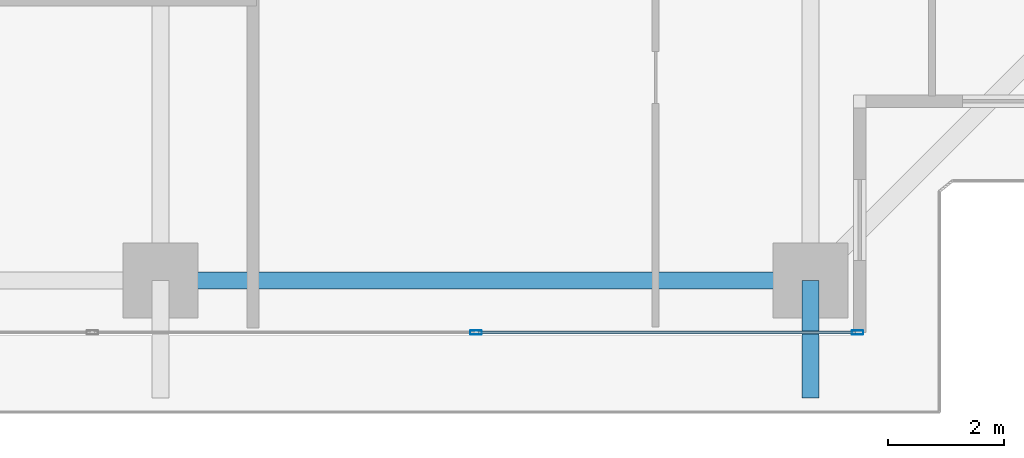
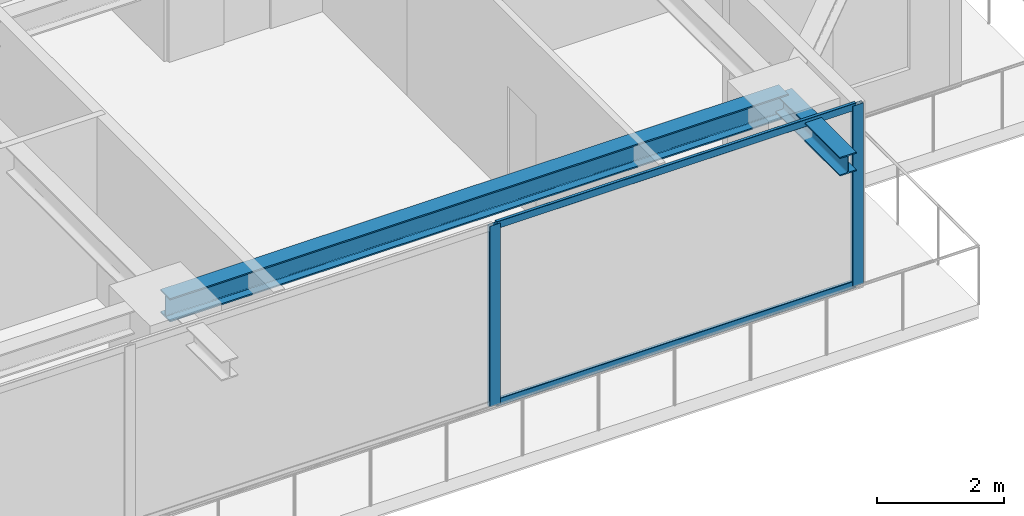
# One storey, part 12 of 38: 4 members, 2 beams, 1 element without a shape of its own.
"""IFC4 building model written with IfcOpenShell, lengths in metres."""

from ifc_helpers import new_model, si_unit, direction, frame, origin, origin_2d, place, context, subcontext, project, spatial, hollow_rectangle, i_section, extrude, source, transform, mapped, material, layer, layer_set, material_profile, profile_set, type_object, element, aggregate, save


model = new_model("IFC4")

# Units and contexts
model_context = context("Model", 3, precision=1e-05, world=origin(), true_north=direction((0.0, 1.0)))
body_context = subcontext(model_context, "Body", "Model", "MODEL_VIEW")
ifc_project = project(units=[si_unit("LENGTHUNIT", "METRE"), si_unit("AREAUNIT", "SQUARE_METRE"), si_unit("VOLUMEUNIT", "CUBIC_METRE"), si_unit("PLANEANGLEUNIT", "RADIAN"), si_unit("MASSUNIT", "GRAM", prefix="KILO")], contexts=[model_context])

# Site, building, storey
site_placement = place(None, origin())
site = spatial("IfcSite", under=ifc_project, at=site_placement, CompositionType="ELEMENT")
building_placement = place(site_placement, origin())
building = spatial("IfcBuilding", under=site, at=building_placement, Name="Serunith Strait Residences", CompositionType="ELEMENT")
storey_placement = place(building_placement, frame((0.0, 0.0, 120.14990234375)))
storey = spatial("IfcBuildingStorey", under=building, at=storey_placement, Name="L29", CompositionType="ELEMENT", Elevation=120.14990234375)

# Beams
ifc_material_1 = material(Name="Steel S355J2", Category="steel")
ifc_material_profile_1 = material_profile(ifc_material_1, i_section(OverallWidth=0.300048828125, OverallDepth=0.449951171875, WebThickness=0.013916015625, FlangeThickness=0.02587890625, FilletRadius=0.027099609375, at=origin_2d()), Name="HEB 450")
ifc_profile_set_1 = profile_set([ifc_material_profile_1], Name="Steel S355J2")
beam_type_1 = type_object("IfcBeamType", Name="BM-HEB450", PredefinedType="BEAM", material=ifc_profile_set_1)
shared_shape_1 = source(origin(), body_context, "Body", "SweptSolid", [
    extrude(i_section(OverallWidth=0.300048828125, OverallDepth=0.449951171875, WebThickness=0.013916015625, FlangeThickness=0.02587890625, FilletRadius=0.027099609375, at=origin_2d()), origin(), (0.0, 0.0, 1.0), 11.25),
])
beam_1_placement = place(storey_placement, frame((36.89990234375, 2.300048828125, 3.26220703125), z_axis=(1.0, 0.0, 0.0), x_axis=(0.0, 1.0, 0.0)))
element("IfcBeam", 1, at=beam_1_placement, inside=storey, type_object=beam_type_1, Name="L29 Perimeter Ring Beam 03", PredefinedType="BEAM", context=body_context, shape_type="MappedRepresentation", body=[
    mapped(shared_shape_1, transform((0.0, 0.0, 0.0), scale=1.0)),
])
ifc_material_profile_2 = material_profile(ifc_material_1, i_section(OverallWidth=0.300048828125, OverallDepth=0.360107421875, WebThickness=0.012451171875, FlangeThickness=0.0224609375, FilletRadius=0.027099609375, at=origin_2d()), Name="HEB 360")
ifc_profile_set_2 = profile_set([ifc_material_profile_2], Name="Steel S355J2")
beam_type_2 = type_object("IfcBeamType", Name="BM-HEB360", PredefinedType="BEAM", material=ifc_profile_set_2)
shared_shape_2 = source(origin(), body_context, "Body", "SweptSolid", [
    extrude(i_section(OverallWidth=0.300048828125, OverallDepth=0.360107421875, WebThickness=0.012451171875, FlangeThickness=0.0224609375, FilletRadius=0.027099609375, at=origin_2d()), origin(), (0.0, 0.0, 1.0), 2.030029296875),
])
beam_2_placement = place(storey_placement, frame((48.14990234375, 2.300048828125, 3.277099609375), z_axis=(0.0, -1.0, 0.0), x_axis=(1.0, 0.0, 0.0)))
element("IfcBeam", 2, at=beam_2_placement, inside=storey, type_object=beam_type_2, Name="L30 Cantilevered Balcony Rib TC-S4", PredefinedType="BEAM", context=body_context, shape_type="MappedRepresentation", body=[
    mapped(shared_shape_2, transform((0.0, 0.0, 0.0), scale=1.0)),
])

# Curtain wall, members
ifc_material_2 = material(Name="Pale-Champagne Anodised Aluminium", Category="aluminium")
ifc_layer = layer(ifc_material_2, 0.199951171875, Name="Pale-Champagne Anodised Aluminium")
ifc_layer_set = layer_set([ifc_layer], Name="Pale-Champagne Anodised Aluminium")
curtain_wall_type = type_object("IfcCurtainWallType", Name="CW-SYS2", PredefinedType="NOTDEFINED", material=ifc_layer_set)
curtain_wall_placement = place(storey_placement, origin())
curtain_wall = element("IfcCurtainWall", 3, at=curtain_wall_placement, inside=storey, type_object=curtain_wall_type, Name="L29 S Unitised Fritted Curtain Wall", PredefinedType="NOTDEFINED")
ifc_material_profile_3 = material_profile(ifc_material_2, hollow_rectangle(XDim=0.070068359375, YDim=0.199951171875, WallThickness=0.00390625, InnerFilletRadius=0.006103515625, OuterFilletRadius=0.010009765625, at=origin_2d()), Name="ALU 200x70x4")
ifc_profile_set_3 = profile_set([ifc_material_profile_3], Name="Pale-Champagne Anodised Aluminium")
member_type_1 = type_object("IfcMemberType", Name="CW-SYS2-MULL", PredefinedType="MULLION", material=ifc_profile_set_3)
shared_shape_3 = source(origin(), body_context, "Body", "SweptSolid", [
    extrude(hollow_rectangle(XDim=0.070068359375, YDim=0.199951171875, WallThickness=0.00390625, InnerFilletRadius=0.006103515625, OuterFilletRadius=0.010009765625, at=origin_2d()), origin(), (0.0, 0.0, 1.0), 3.47509765625),
])
member_1_placement = place(storey_placement, frame((42.360107421875, 1.39990234375, 0.0), z_axis=(0.0, 0.0, 1.0), x_axis=(0.0, 1.0, 0.0)))
member_1 = element("IfcMember", 4, at=member_1_placement, type_object=member_type_1, Name="CW-2 mullion 5", PredefinedType="MULLION", context=body_context, shape_type="MappedRepresentation", body=[
    mapped(shared_shape_3, transform((0.0, 0.0, 0.0), scale=1.0)),
])
member_2_placement = place(storey_placement, frame((48.965087890625, 1.39990234375, 0.0), z_axis=(0.0, 0.0, 1.0), x_axis=(0.0, 1.0, 0.0)))
member_2 = element("IfcMember", 5, at=member_2_placement, type_object=member_type_1, Name="CW-2 mullion 6", PredefinedType="MULLION", context=body_context, shape_type="MappedRepresentation", body=[
    mapped(shared_shape_3, transform((0.0, 0.0, 0.0), scale=1.0)),
])
ifc_material_profile_4 = material_profile(ifc_material_2, hollow_rectangle(XDim=0.06005859375, YDim=0.139892578125, WallThickness=0.00341796875, InnerFilletRadius=0.00537109375, OuterFilletRadius=0.0087890625, at=origin_2d()), Name="ALU 140x60x3.5")
ifc_profile_set_4 = profile_set([ifc_material_profile_4], Name="Pale-Champagne Anodised Aluminium")
member_type_2 = type_object("IfcMemberType", Name="CW-SYS2-TRAN", PredefinedType="USERDEFINED", material=ifc_profile_set_4)
shared_shape_4 = source(origin(), body_context, "Body", "SweptSolid", [
    extrude(hollow_rectangle(XDim=0.06005859375, YDim=0.139892578125, WallThickness=0.00341796875, InnerFilletRadius=0.00537109375, OuterFilletRadius=0.0087890625, at=origin_2d()), origin(), (0.0, 0.0, 1.0), 6.534912109375),
])
member_3_placement = place(storey_placement, frame((42.39501953125, 1.39990234375, 0.030029296875), z_axis=(1.0, 0.0, 0.0), x_axis=(0.0, 1.0, 0.0)))
member_3 = element("IfcMember", 6, at=member_3_placement, type_object=member_type_2, Name="CW-2 transom 5.1", ObjectType="TRANSOM", PredefinedType="USERDEFINED", context=body_context, shape_type="MappedRepresentation", body=[
    mapped(shared_shape_4, transform((0.0, 0.0, 0.0), scale=1.0)),
])
member_4_placement = place(storey_placement, frame((42.39501953125, 1.39990234375, 3.445068359375), z_axis=(1.0, 0.0, 0.0), x_axis=(0.0, 1.0, 0.0)))
member_4 = element("IfcMember", 7, at=member_4_placement, type_object=member_type_2, Name="CW-2 transom 5.2", ObjectType="TRANSOM", PredefinedType="USERDEFINED", context=body_context, shape_type="MappedRepresentation", body=[
    mapped(shared_shape_4, transform((0.0, 0.0, 0.0), scale=1.0)),
])
aggregate(curtain_wall, [member_1, member_2, member_3, member_4])

save(model, "model.ifc")
